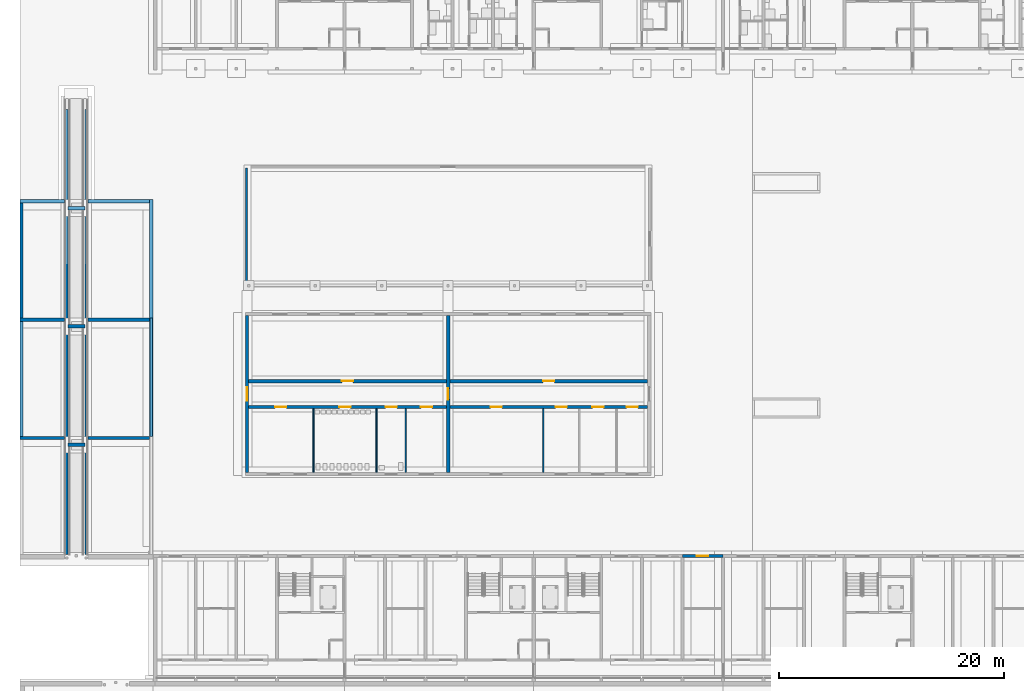
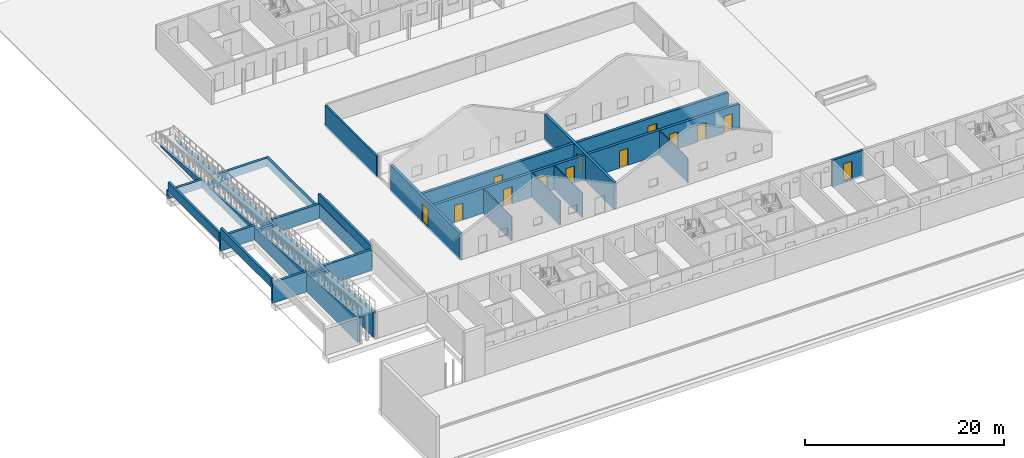
# One storey, part 40 of 112: 28 walls, 13 doors, 13 openings.
"""IFC4 building model written with IfcOpenShell, lengths in metres."""

from ifc_helpers import new_model, si_unit, direction, frame, frame_2d, origin, place, context, subcontext, project, spatial, polyline, rectangle, outline, extrude, material, layer, layer_set, type_object, element, fill, save


model = new_model("IFC4")

# Units and contexts
model_context = context("Model", 3, precision=1e-05, world=origin(), true_north=direction((0.0, 1.0)))
body_context = subcontext(model_context, "Body", "Model", "MODEL_VIEW")
ifc_project = project(units=[si_unit("LENGTHUNIT", "METRE"), si_unit("AREAUNIT", "SQUARE_METRE"), si_unit("VOLUMEUNIT", "CUBIC_METRE"), si_unit("PLANEANGLEUNIT", "RADIAN"), si_unit("MASSUNIT", "GRAM", prefix="KILO")], contexts=[model_context])

# Site, building, storey
site_placement = place(None, origin())
site = spatial("IfcSite", under=ifc_project, at=site_placement, CompositionType="ELEMENT")
building_placement = place(site_placement, origin())
building = spatial("IfcBuilding", under=site, at=building_placement, Name="Ridgestep Commons", CompositionType="ELEMENT")
storey_placement = place(building_placement, origin())
storey = spatial("IfcBuildingStorey", under=building, at=storey_placement, Name="L00", CompositionType="ELEMENT", Elevation=0.0)

# Wall
ifc_material_1 = material(Name="Concrete C30/37", Category="concrete")
ifc_layer_1 = layer(ifc_material_1, 0.199951171875)
ifc_layer_set_1 = layer_set([ifc_layer_1], Name="Community enclosure wall 200")
wall_type_1 = type_object("IfcWallType", Name="Community enclosure wall 200", PredefinedType="SOLIDWALL", material=ifc_layer_set_1)
wall_1_placement = place(storey_placement, frame((20.10009765625, 47.0, -0.25), z_axis=(0.0, 0.0, 1.0), x_axis=(0.0, 1.0, 0.0)))
element("IfcWall", 1, at=wall_1_placement, inside=storey, type_object=wall_type_1, Name="Community enclosure wall 200", PredefinedType="SOLIDWALL", context=body_context, shape_type="SweptSolid", body=[
    extrude(rectangle(XDim=10.300048828125, YDim=0.199951171875, at=frame_2d((5.14990234375, 0.0))), origin(), (0.0, 0.0, 1.0), 2.64990234375),
])

# Wall, opening, door
ifc_material_2 = material(Name="Facing brick", Category="masonry")
ifc_layer_2 = layer(ifc_material_2, 0.300048828125)
ifc_layer_set_2 = layer_set([ifc_layer_2], Name="Community exposed nursery wall 300")
wall_type_2 = type_object("IfcWallType", Name="Community exposed nursery wall 300", PredefinedType="SOLIDWALL", material=ifc_layer_set_2)
wall_2_placement = place(storey_placement, frame((20.14990234375, 30.300048828125, -0.25), z_axis=(0.0, 0.0, 1.0), x_axis=(0.0, 1.0, 0.0)))
wall_2 = element("IfcWall", 2, at=wall_2_placement, inside=storey, type_object=wall_type_2, Name="Community exposed nursery wall 300", PredefinedType="SOLIDWALL", context=body_context, shape_type="SweptSolid", body=[
    extrude(rectangle(XDim=13.89990234375, YDim=0.300048828125, at=frame_2d((6.949951171875, 0.0))), origin(), (0.0, 0.0, 1.0), 3.25),
])
opening_1_placement = place(wall_2_placement, frame((6.35009765625, 0.0, 0.25)))
opening_1 = element("IfcOpeningElement", 3, at=opening_1_placement, cuts=wall_2, Name="Opening C022", PredefinedType="OPENING", context=body_context, shape_type="SweptSolid", body=[
    extrude(rectangle(XDim=1.199951171875, YDim=2.10009765625, at=frame_2d((0.60009765625, 1.050048828125))), frame((0.0, 0.159912109375, 0.0), z_axis=(0.0, -1.0, 0.0), x_axis=(1.0, 0.0, 0.0)), (0.0, 0.0, 1.0), 0.320068359375),
])
ifc_material_3 = material(Name="Steel", Category="steel")
door_type_1 = type_object("IfcDoorType", Name="Community exit door 1200 x 2100", OperationType="SINGLE_SWING_LEFT", PredefinedType="DOOR", material=ifc_material_3)
door_1_placement = place(opening_1_placement, origin())
door_1 = element("IfcDoor", 4, at=door_1_placement, inside=storey, type_object=door_type_1, Name="Community exit door 1200 x 2100", OperationType="SINGLE_SWING_LEFT", OverallHeight=2.10009765625, OverallWidth=1.199951171875, PredefinedType="DOOR", context=body_context, shape_type="SweptSolid", body=[
    extrude(rectangle(XDim=1.199951171875, YDim=2.10009765625, at=frame_2d((0.60009765625, 1.050048828125))), frame((0.0, 0.02490234375, 0.0), z_axis=(0.0, -1.0, 0.0), x_axis=(1.0, 0.0, 0.0)), (0.0, 0.0, 1.0), 0.050048828125),
])
fill(opening_1, door_1)

# Walls
ifc_material_4 = material(Name="Precast concrete C40/50", Category="concrete")
ifc_layer_3 = layer(ifc_material_4, 0.300048828125)
ifc_layer_set_3 = layer_set([ifc_layer_3], Name="Community ramp landing wall 300")
wall_type_3 = type_object("IfcWallType", Name="Community ramp landing wall 300", PredefinedType="SOLIDWALL", material=ifc_layer_set_3)
wall_3_placement = place(storey_placement, frame((4.25, 53.75, -0.25), z_axis=(0.0, 0.0, 1.0), x_axis=(1.0, 0.0, 0.0)))
element("IfcWall", 5, at=wall_3_placement, inside=storey, type_object=wall_type_3, Name="Ramp landing wall", PredefinedType="SOLIDWALL", context=body_context, shape_type="SweptSolid", body=[
    extrude(rectangle(XDim=1.5, YDim=0.300048828125, at=frame_2d((0.75, 0.0))), origin(), (0.0, 0.0, 1.0), 0.85009765625),
])
wall_4_placement = place(storey_placement, frame((4.25, 43.25, -0.25), z_axis=(0.0, 0.0, 1.0), x_axis=(1.0, 0.0, 0.0)))
element("IfcWall", 6, at=wall_4_placement, inside=storey, type_object=wall_type_3, Name="Ramp landing wall", PredefinedType="SOLIDWALL", context=body_context, shape_type="SweptSolid", body=[
    extrude(rectangle(XDim=1.5, YDim=0.300048828125, at=frame_2d((0.75, 0.0))), origin(), (0.0, 0.0, 1.0), 1.60009765625),
])
wall_5_placement = place(storey_placement, frame((4.25, 32.75, -0.25), z_axis=(0.0, 0.0, 1.0), x_axis=(1.0, 0.0, 0.0)))
element("IfcWall", 7, at=wall_5_placement, inside=storey, type_object=wall_type_3, Name="Ramp landing wall", PredefinedType="SOLIDWALL", context=body_context, shape_type="SweptSolid", body=[
    extrude(rectangle(XDim=1.5, YDim=0.300048828125, at=frame_2d((0.75, 0.0))), origin(), (0.0, 0.0, 1.0), 2.35009765625),
])
ifc_material_5 = material(Name="Concrete C30/37", Category="concrete")
ifc_layer_4 = layer(ifc_material_5, 0.300048828125)
ifc_layer_set_4 = layer_set([ifc_layer_4], Name="Community retaining wall 300")
wall_type_4 = type_object("IfcWallType", Name="Community retaining wall 300", PredefinedType="SOLIDWALL", material=ifc_layer_set_4)
for number, where, z_axis, x_axis, name in (
    (8, (4.10009765625, 62.5, -0.25), (0.0, 0.0, 1.0), (0.0, -1.0, 0.0), "Ramp edge wall"),
    (9, (5.89990234375, 62.5, -0.25), (0.0, 0.0, 1.0), (0.0, -1.0, 0.0), "Ramp edge wall"),
):
    element("IfcWall", number, at=place(storey_placement, frame(where, z_axis=z_axis, x_axis=x_axis)), inside=storey, type_object=wall_type_4, Name=name, PredefinedType="SOLIDWALL", context=body_context, shape_type="SweptSolid", body=[
        extrude(outline(polyline([(0.0, 0.0), (39.5, 0.0), (39.5, 3.099609375), (30.5, 2.349609375), (29.0, 2.349609375), (20.0, 1.599609375), (18.5, 1.599609375), (9.5, 0.849609375), (8.0, 0.849609375), (0.0, 0.182861328125), (0.0, 0.0)])), frame((0.0, 0.14990234375, 0.0), z_axis=(0.0, -1.0, 0.0), x_axis=(1.0, 0.0, 0.0)), (0.0, 0.0, 1.0), 0.300048828125),
    ])
wall_6_placement = place(storey_placement, frame((11.64990234375, 44.0, -0.25), z_axis=(0.0, 0.0, 1.0), x_axis=(0.0, 1.0, 0.0)))
element("IfcWall", 10, at=wall_6_placement, inside=storey, type_object=wall_type_4, Name="Bank retaining wall", PredefinedType="SOLIDWALL", context=body_context, shape_type="SweptSolid", body=[
    extrude(rectangle(XDim=10.5, YDim=0.300048828125, at=frame_2d((5.25, 0.0))), origin(), (0.0, 0.0, 1.0), 1.0),
])
wall_7_placement = place(storey_placement, frame((0.010009765625, 54.35009765625, -0.25), z_axis=(0.0, 0.0, 1.0), x_axis=(1.0, 0.0, 0.0)))
element("IfcWall", 11, at=wall_7_placement, inside=storey, type_object=wall_type_4, Name="Bank step wall", PredefinedType="SOLIDWALL", context=body_context, shape_type="SweptSolid", body=[
    extrude(rectangle(XDim=3.93994140625, YDim=0.300048828125, at=frame_2d((1.969970703125, 0.0))), origin(), (0.0, 0.0, 1.0), 1.0),
])
wall_8_placement = place(storey_placement, frame((6.050048828125, 54.35009765625, -0.25), z_axis=(0.0, 0.0, 1.0), x_axis=(1.0, 0.0, 0.0)))
element("IfcWall", 12, at=wall_8_placement, inside=storey, type_object=wall_type_4, Name="Bank step wall", PredefinedType="SOLIDWALL", context=body_context, shape_type="SweptSolid", body=[
    extrude(rectangle(XDim=5.449951171875, YDim=0.300048828125, at=frame_2d((2.72509765625, 0.0))), origin(), (0.0, 0.0, 1.0), 1.0),
])
wall_9_placement = place(storey_placement, frame((11.64990234375, 33.5, -0.25), z_axis=(0.0, 0.0, 1.0), x_axis=(0.0, 1.0, 0.0)))
element("IfcWall", 13, at=wall_9_placement, inside=storey, type_object=wall_type_4, Name="Bank retaining wall", PredefinedType="SOLIDWALL", context=body_context, shape_type="SweptSolid", body=[
    extrude(rectangle(XDim=10.5, YDim=0.300048828125, at=frame_2d((5.25, 0.0))), origin(), (0.0, 0.0, 1.0), 1.75),
])
wall_10_placement = place(storey_placement, frame((0.010009765625, 43.85009765625, -0.25), z_axis=(0.0, 0.0, 1.0), x_axis=(1.0, 0.0, 0.0)))
element("IfcWall", 14, at=wall_10_placement, inside=storey, type_object=wall_type_4, Name="Bank step wall", PredefinedType="SOLIDWALL", context=body_context, shape_type="SweptSolid", body=[
    extrude(rectangle(XDim=3.93994140625, YDim=0.300048828125, at=frame_2d((1.969970703125, 0.0))), origin(), (0.0, 0.0, 1.0), 1.75),
])
wall_11_placement = place(storey_placement, frame((6.050048828125, 43.85009765625, -0.25), z_axis=(0.0, 0.0, 1.0), x_axis=(1.0, 0.0, 0.0)))
element("IfcWall", 15, at=wall_11_placement, inside=storey, type_object=wall_type_4, Name="Bank step wall", PredefinedType="SOLIDWALL", context=body_context, shape_type="SweptSolid", body=[
    extrude(rectangle(XDim=5.449951171875, YDim=0.300048828125, at=frame_2d((2.72509765625, 0.0))), origin(), (0.0, 0.0, 1.0), 1.75),
])
wall_12_placement = place(storey_placement, frame((0.010009765625, 33.35009765625, -0.25), z_axis=(0.0, 0.0, 1.0), x_axis=(1.0, 0.0, 0.0)))
element("IfcWall", 16, at=wall_12_placement, inside=storey, type_object=wall_type_4, Name="Bank step wall", PredefinedType="SOLIDWALL", context=body_context, shape_type="SweptSolid", body=[
    extrude(rectangle(XDim=3.93994140625, YDim=0.300048828125, at=frame_2d((1.969970703125, 0.0))), origin(), (0.0, 0.0, 1.0), 2.5),
])
wall_13_placement = place(storey_placement, frame((6.050048828125, 33.35009765625, -0.25), z_axis=(0.0, 0.0, 1.0), x_axis=(1.0, 0.0, 0.0)))
element("IfcWall", 17, at=wall_13_placement, inside=storey, type_object=wall_type_4, Name="Bank step wall", PredefinedType="SOLIDWALL", context=body_context, shape_type="SweptSolid", body=[
    extrude(rectangle(XDim=5.449951171875, YDim=0.300048828125, at=frame_2d((2.72509765625, 0.0))), origin(), (0.0, 0.0, 1.0), 2.5),
])
ifc_material_6 = material(Name="Precast concrete C40/50", Category="concrete")
ifc_layer_5 = layer(ifc_material_6, 0.25)
ifc_layer_set_5 = layer_set([ifc_layer_5], Name="Community terrace parapet 250")
wall_type_5 = type_object("IfcWallType", Name="Community terrace parapet 250", PredefinedType="PARAPET", material=ifc_layer_set_5)
wall_14_placement = place(storey_placement, frame((0.135009765625, 44.0, 0.75), z_axis=(0.0, 0.0, 1.0), x_axis=(0.0, 1.0, 0.0)))
element("IfcWall", 18, at=wall_14_placement, inside=storey, type_object=wall_type_5, Name="Terrace parapet", PredefinedType="PARAPET", context=body_context, shape_type="SweptSolid", body=[
    extrude(rectangle(XDim=10.199951171875, YDim=0.25, at=frame_2d((5.10009765625, 0.0))), origin(), (0.0, 0.0, 1.0), 1.10009765625),
])
wall_15_placement = place(storey_placement, frame((11.64990234375, 33.5, 1.5), z_axis=(0.0, 0.0, 1.0), x_axis=(0.0, 1.0, 0.0)))
element("IfcWall", 19, at=wall_15_placement, inside=storey, type_object=wall_type_5, Name="Terrace parapet", PredefinedType="PARAPET", context=body_context, shape_type="SweptSolid", body=[
    extrude(rectangle(XDim=10.5, YDim=0.25, at=frame_2d((5.25, 0.0))), origin(), (0.0, 0.0, 1.0), 1.10009765625),
])
wall_16_placement = place(storey_placement, frame((0.135009765625, 33.5, 1.5), z_axis=(0.0, 0.0, 1.0), x_axis=(0.0, 1.0, 0.0)))
element("IfcWall", 20, at=wall_16_placement, inside=storey, type_object=wall_type_5, Name="Terrace parapet", PredefinedType="PARAPET", context=body_context, shape_type="SweptSolid", body=[
    extrude(rectangle(XDim=10.199951171875, YDim=0.25, at=frame_2d((5.10009765625, 0.0))), origin(), (0.0, 0.0, 1.0), 1.10009765625),
])

# Wall, opening, door
ifc_material_7 = material(Name="Precast concrete C40/50", Category="concrete")
ifc_layer_6 = layer(ifc_material_7, 0.25)
ifc_layer_set_6 = layer_set([ifc_layer_6], Name="North facade panel 250")
wall_type_6 = type_object("IfcWallType", Name="North facade panel 250", PredefinedType="SOLIDWALL", material=ifc_layer_set_6)
wall_17_placement = place(storey_placement, frame((58.800048828125, 22.875, -0.25), z_axis=(0.0, 0.0, 1.0), x_axis=(1.0, 0.0, 0.0)))
wall_17 = element("IfcWall", 21, at=wall_17_placement, inside=storey, type_object=wall_type_6, Name="North panel A3T1 L00", PredefinedType="SOLIDWALL", context=body_context, shape_type="SweptSolid", body=[
    extrude(rectangle(XDim=3.599853515625, YDim=0.25, at=frame_2d((1.7998046875, 0.0))), origin(), (0.0, 0.0, 1.0), 3.25),
])
opening_2_placement = place(wall_17_placement, frame((1.28759765625, 0.0, 0.25)))
opening_2 = element("IfcOpeningElement", 22, at=opening_2_placement, cuts=wall_17, Name="Opening A3-00p/6", PredefinedType="OPENING", context=body_context, shape_type="SweptSolid", body=[
    extrude(rectangle(XDim=1.0, YDim=2.10009765625, at=frame_2d((0.5, 1.050048828125))), frame((0.0, 0.135009765625, 0.0), z_axis=(0.0, -1.0, 0.0), x_axis=(1.0, 0.0, 0.0)), (0.0, 0.0, 1.0), 0.27001953125),
])
ifc_material_8 = material(Name="Steel door leaf", Category="steel")
door_type_2 = type_object("IfcDoorType", Name="Exterior door 1000 x 2100", OperationType="NOTDEFINED", PredefinedType="DOOR", material=ifc_material_8)
door_2_placement = place(opening_2_placement, origin())
door_2 = element("IfcDoor", 23, at=door_2_placement, inside=storey, type_object=door_type_2, Name="Exterior door A3-00p/6", OperationType="SINGLE_SWING_LEFT", OverallHeight=2.10009765625, OverallWidth=1.0, PredefinedType="DOOR", context=body_context, shape_type="SweptSolid", body=[
    extrude(rectangle(XDim=1.0, YDim=2.10009765625, at=frame_2d((0.5, 1.050048828125))), frame((0.0, 0.02490234375, 0.0), z_axis=(0.0, -1.0, 0.0), x_axis=(1.0, 0.0, 0.0)), (0.0, 0.0, 1.0), 0.050048828125),
])
fill(opening_2, door_2)

# Walls
ifc_material_9 = material(Name="Common brick 110 mm", Category="masonry")
ifc_layer_7 = layer(ifc_material_9, 0.110107421875)
ifc_layer_set_7 = layer_set([ifc_layer_7], Name="Nursery partition 110")
wall_type_7 = type_object("IfcWallType", Name="Nursery partition 110", PredefinedType="PARTITIONING", material=ifc_layer_set_7)
for number, where, z_axis, x_axis, name in (
    (24, (26.050048828125, 30.300048828125, 0.0), (0.0, 0.0, 1.0), (0.0, 1.0, 0.0), "Nursery partition 110"),
    (25, (31.64990234375, 30.300048828125, 0.0), (0.0, 0.0, 1.0), (0.0, 1.0, 0.0), "Nursery partition 110"),
    (26, (34.25, 30.300048828125, 0.0), (0.0, 0.0, 1.0), (0.0, 1.0, 0.0), "Nursery partition 110"),
    (27, (46.449951171875, 30.300048828125, 0.0), (0.0, 0.0, 1.0), (0.0, 1.0, 0.0), "Nursery partition 110"),
):
    element("IfcWall", number, at=place(storey_placement, frame(where, z_axis=z_axis, x_axis=x_axis)), inside=storey, type_object=wall_type_7, Name=name, PredefinedType="PARTITIONING", context=body_context, shape_type="SweptSolid", body=[
        extrude(rectangle(XDim=5.64990234375, YDim=0.110107421875, at=frame_2d((2.824951171875, 0.0))), origin(), (0.0, 0.0, 1.0), 3.0),
    ])

# Wall, opening, door
ifc_material_10 = material(Name="Facing brick", Category="masonry")
ifc_layer_8 = layer(ifc_material_10, 0.300048828125)
ifc_layer_set_8 = layer_set([ifc_layer_8], Name="Nursery wall 300")
wall_type_8 = type_object("IfcWallType", Name="Nursery wall 300", PredefinedType="SOLIDWALL", material=ifc_layer_set_8)
wall_18_placement = place(storey_placement, frame((38.0, 30.300048828125, -0.25), z_axis=(0.0, 0.0, 1.0), x_axis=(0.0, 1.0, 0.0)))
wall_18 = element("IfcWall", 28, at=wall_18_placement, inside=storey, type_object=wall_type_8, Name="Nursery wall 300", PredefinedType="SOLIDWALL", context=body_context, shape_type="SweptSolid", body=[
    extrude(rectangle(XDim=13.89990234375, YDim=0.300048828125, at=frame_2d((6.949951171875, 0.0))), origin(), (0.0, 0.0, 1.0), 3.25),
])
opening_3_placement = place(wall_18_placement, frame((6.449951171875, 0.0, 0.25)))
opening_3 = element("IfcOpeningElement", 29, at=opening_3_placement, cuts=wall_18, Name="Opening C106", PredefinedType="OPENING", context=body_context, shape_type="SweptSolid", body=[
    extrude(rectangle(XDim=1.0, YDim=2.10009765625, at=frame_2d((0.5, 1.050048828125))), frame((0.0, 0.159912109375, 0.0), z_axis=(0.0, -1.0, 0.0), x_axis=(1.0, 0.0, 0.0)), (0.0, 0.0, 1.0), 0.320068359375),
])
ifc_material_11 = material(Name="Timber and steel", Category="steel")
door_type_3 = type_object("IfcDoorType", Name="Community fire door 1000 x 2100", OperationType="SINGLE_SWING_LEFT", PredefinedType="DOOR", material=ifc_material_11)
door_3_placement = place(opening_3_placement, origin())
door_3 = element("IfcDoor", 30, at=door_3_placement, inside=storey, type_object=door_type_3, Name="Community fire door 1000 x 2100", OperationType="SINGLE_SWING_RIGHT", OverallHeight=2.10009765625, OverallWidth=1.0, PredefinedType="DOOR", context=body_context, shape_type="SweptSolid", body=[
    extrude(rectangle(XDim=1.0, YDim=2.10009765625, at=frame_2d((0.5, 1.050048828125))), frame((0.0, 0.02490234375, 0.0), z_axis=(0.0, -1.0, 0.0), x_axis=(1.0, 0.0, 0.0)), (0.0, 0.0, 1.0), 0.050048828125),
])
fill(opening_3, door_3)

# Wall, openings, doors
wall_19_placement = place(storey_placement, frame((20.300048828125, 36.10009765625, 0.0), z_axis=(0.0, 0.0, 1.0), x_axis=(1.0, 0.0, 0.0)))
wall_19 = element("IfcWall", 31, at=wall_19_placement, inside=storey, type_object=wall_type_8, Name="Nursery wall 300", PredefinedType="SOLIDWALL", context=body_context, shape_type="SweptSolid", body=[
    extrude(rectangle(XDim=17.550048828125, YDim=0.300048828125, at=frame_2d((8.77490234375, 0.0))), origin(), (0.0, 0.0, 1.0), 3.0),
])
opening_4_placement = place(wall_19_placement, frame((2.347412109375, 0.0, 0.0)))
opening_4 = element("IfcOpeningElement", 32, at=opening_4_placement, cuts=wall_19, Name="Opening C096", PredefinedType="OPENING", context=body_context, shape_type="SweptSolid", body=[
    extrude(rectangle(XDim=1.0, YDim=2.10009765625, at=frame_2d((0.5, 1.050048828125))), frame((0.0, 0.159912109375, 0.0), z_axis=(0.0, -1.0, 0.0), x_axis=(1.0, 0.0, 0.0)), (0.0, 0.0, 1.0), 0.320068359375),
])
opening_5_placement = place(wall_19_placement, frame((8.050048828125, 0.0, 0.0)))
opening_5 = element("IfcOpeningElement", 33, at=opening_5_placement, cuts=wall_19, Name="Opening C097", PredefinedType="OPENING", context=body_context, shape_type="SweptSolid", body=[
    extrude(rectangle(XDim=1.0, YDim=2.10009765625, at=frame_2d((0.5, 1.050048828125))), frame((0.0, 0.159912109375, 0.0), z_axis=(0.0, -1.0, 0.0), x_axis=(1.0, 0.0, 0.0)), (0.0, 0.0, 1.0), 0.320068359375),
])
opening_6_placement = place(wall_19_placement, frame((12.14990234375, 0.0, 0.0)))
opening_6 = element("IfcOpeningElement", 34, at=opening_6_placement, cuts=wall_19, Name="Opening C098", PredefinedType="OPENING", context=body_context, shape_type="SweptSolid", body=[
    extrude(rectangle(XDim=1.0, YDim=2.10009765625, at=frame_2d((0.5, 1.050048828125))), frame((0.0, 0.159912109375, 0.0), z_axis=(0.0, -1.0, 0.0), x_axis=(1.0, 0.0, 0.0)), (0.0, 0.0, 1.0), 0.320068359375),
])
opening_7_placement = place(wall_19_placement, frame((15.277587890625, 0.0, 0.0)))
opening_7 = element("IfcOpeningElement", 35, at=opening_7_placement, cuts=wall_19, Name="Opening C099", PredefinedType="OPENING", context=body_context, shape_type="SweptSolid", body=[
    extrude(rectangle(XDim=1.0, YDim=2.10009765625, at=frame_2d((0.5, 1.050048828125))), frame((0.0, 0.159912109375, 0.0), z_axis=(0.0, -1.0, 0.0), x_axis=(1.0, 0.0, 0.0)), (0.0, 0.0, 1.0), 0.320068359375),
])
door_4_placement = place(opening_4_placement, origin())
door_4 = element("IfcDoor", 36, at=door_4_placement, inside=storey, type_object=door_type_3, Name="Community fire door 1000 x 2100", OperationType="SINGLE_SWING_LEFT", OverallHeight=2.10009765625, OverallWidth=1.0, PredefinedType="DOOR", context=body_context, shape_type="SweptSolid", body=[
    extrude(rectangle(XDim=1.0, YDim=2.10009765625, at=frame_2d((0.5, 1.050048828125))), frame((0.0, 0.02490234375, 0.0), z_axis=(0.0, -1.0, 0.0), x_axis=(1.0, 0.0, 0.0)), (0.0, 0.0, 1.0), 0.050048828125),
])
fill(opening_4, door_4)
door_5_placement = place(opening_5_placement, origin())
door_5 = element("IfcDoor", 37, at=door_5_placement, inside=storey, type_object=door_type_3, Name="Community fire door 1000 x 2100", OperationType="SINGLE_SWING_RIGHT", OverallHeight=2.10009765625, OverallWidth=1.0, PredefinedType="DOOR", context=body_context, shape_type="SweptSolid", body=[
    extrude(rectangle(XDim=1.0, YDim=2.10009765625, at=frame_2d((0.5, 1.050048828125))), frame((0.0, 0.02490234375, 0.0), z_axis=(0.0, -1.0, 0.0), x_axis=(1.0, 0.0, 0.0)), (0.0, 0.0, 1.0), 0.050048828125),
])
fill(opening_5, door_5)
door_6_placement = place(opening_6_placement, origin())
door_6 = element("IfcDoor", 38, at=door_6_placement, inside=storey, type_object=door_type_3, Name="Community fire door 1000 x 2100", OperationType="SINGLE_SWING_LEFT", OverallHeight=2.10009765625, OverallWidth=1.0, PredefinedType="DOOR", context=body_context, shape_type="SweptSolid", body=[
    extrude(rectangle(XDim=1.0, YDim=2.10009765625, at=frame_2d((0.5, 1.050048828125))), frame((0.0, 0.02490234375, 0.0), z_axis=(0.0, -1.0, 0.0), x_axis=(1.0, 0.0, 0.0)), (0.0, 0.0, 1.0), 0.050048828125),
])
fill(opening_6, door_6)
door_7_placement = place(opening_7_placement, origin())
door_7 = element("IfcDoor", 39, at=door_7_placement, inside=storey, type_object=door_type_3, Name="Community fire door 1000 x 2100", OperationType="SINGLE_SWING_LEFT", OverallHeight=2.10009765625, OverallWidth=1.0, PredefinedType="DOOR", context=body_context, shape_type="SweptSolid", body=[
    extrude(rectangle(XDim=1.0, YDim=2.10009765625, at=frame_2d((0.5, 1.050048828125))), frame((0.0, 0.02490234375, 0.0), z_axis=(0.0, -1.0, 0.0), x_axis=(1.0, 0.0, 0.0)), (0.0, 0.0, 1.0), 0.050048828125),
])
fill(opening_7, door_7)

wall_20_placement = place(storey_placement, frame((38.14990234375, 36.10009765625, 0.0), z_axis=(0.0, 0.0, 1.0), x_axis=(1.0, 0.0, 0.0)))
wall_20 = element("IfcWall", 40, at=wall_20_placement, inside=storey, type_object=wall_type_8, Name="Nursery wall 300", PredefinedType="SOLIDWALL", context=body_context, shape_type="SweptSolid", body=[
    extrude(rectangle(XDim=17.550048828125, YDim=0.300048828125, at=frame_2d((8.77490234375, 0.0))), origin(), (0.0, 0.0, 1.0), 3.0),
])
opening_8_placement = place(wall_20_placement, frame((3.62255859375, 0.0, 0.0)))
opening_8 = element("IfcOpeningElement", 41, at=opening_8_placement, cuts=wall_20, Name="Opening C100", PredefinedType="OPENING", context=body_context, shape_type="SweptSolid", body=[
    extrude(rectangle(XDim=1.0, YDim=2.10009765625, at=frame_2d((0.5, 1.050048828125))), frame((0.0, 0.159912109375, 0.0), z_axis=(0.0, -1.0, 0.0), x_axis=(1.0, 0.0, 0.0)), (0.0, 0.0, 1.0), 0.320068359375),
])
opening_9_placement = place(wall_20_placement, frame((9.39990234375, 0.0, 0.0)))
opening_9 = element("IfcOpeningElement", 42, at=opening_9_placement, cuts=wall_20, Name="Opening C101", PredefinedType="OPENING", context=body_context, shape_type="SweptSolid", body=[
    extrude(rectangle(XDim=1.0, YDim=2.10009765625, at=frame_2d((0.5, 1.050048828125))), frame((0.0, 0.159912109375, 0.0), z_axis=(0.0, -1.0, 0.0), x_axis=(1.0, 0.0, 0.0)), (0.0, 0.0, 1.0), 0.320068359375),
])
opening_10_placement = place(wall_20_placement, frame((12.64990234375, 0.0, 0.0)))
opening_10 = element("IfcOpeningElement", 43, at=opening_10_placement, cuts=wall_20, Name="Opening C102", PredefinedType="OPENING", context=body_context, shape_type="SweptSolid", body=[
    extrude(rectangle(XDim=1.0, YDim=2.10009765625, at=frame_2d((0.5, 1.050048828125))), frame((0.0, 0.159912109375, 0.0), z_axis=(0.0, -1.0, 0.0), x_axis=(1.0, 0.0, 0.0)), (0.0, 0.0, 1.0), 0.320068359375),
])
opening_11_placement = place(wall_20_placement, frame((15.702392578125, 0.0, 0.0)))
opening_11 = element("IfcOpeningElement", 44, at=opening_11_placement, cuts=wall_20, Name="Opening C103", PredefinedType="OPENING", context=body_context, shape_type="SweptSolid", body=[
    extrude(rectangle(XDim=1.0, YDim=2.10009765625, at=frame_2d((0.5, 1.050048828125))), frame((0.0, 0.159912109375, 0.0), z_axis=(0.0, -1.0, 0.0), x_axis=(1.0, 0.0, 0.0)), (0.0, 0.0, 1.0), 0.320068359375),
])
door_8_placement = place(opening_8_placement, origin())
door_8 = element("IfcDoor", 45, at=door_8_placement, inside=storey, type_object=door_type_3, Name="Community fire door 1000 x 2100", OperationType="SINGLE_SWING_LEFT", OverallHeight=2.10009765625, OverallWidth=1.0, PredefinedType="DOOR", context=body_context, shape_type="SweptSolid", body=[
    extrude(rectangle(XDim=1.0, YDim=2.10009765625, at=frame_2d((0.5, 1.050048828125))), frame((0.0, 0.02490234375, 0.0), z_axis=(0.0, -1.0, 0.0), x_axis=(1.0, 0.0, 0.0)), (0.0, 0.0, 1.0), 0.050048828125),
])
fill(opening_8, door_8)
door_9_placement = place(opening_9_placement, origin())
door_9 = element("IfcDoor", 46, at=door_9_placement, inside=storey, type_object=door_type_3, Name="Community fire door 1000 x 2100", OperationType="SINGLE_SWING_LEFT", OverallHeight=2.10009765625, OverallWidth=1.0, PredefinedType="DOOR", context=body_context, shape_type="SweptSolid", body=[
    extrude(rectangle(XDim=1.0, YDim=2.10009765625, at=frame_2d((0.5, 1.050048828125))), frame((0.0, 0.02490234375, 0.0), z_axis=(0.0, -1.0, 0.0), x_axis=(1.0, 0.0, 0.0)), (0.0, 0.0, 1.0), 0.050048828125),
])
fill(opening_9, door_9)
door_10_placement = place(opening_10_placement, origin())
door_10 = element("IfcDoor", 47, at=door_10_placement, inside=storey, type_object=door_type_3, Name="Community fire door 1000 x 2100", OperationType="SINGLE_SWING_RIGHT", OverallHeight=2.10009765625, OverallWidth=1.0, PredefinedType="DOOR", context=body_context, shape_type="SweptSolid", body=[
    extrude(rectangle(XDim=1.0, YDim=2.10009765625, at=frame_2d((0.5, 1.050048828125))), frame((0.0, 0.02490234375, 0.0), z_axis=(0.0, -1.0, 0.0), x_axis=(1.0, 0.0, 0.0)), (0.0, 0.0, 1.0), 0.050048828125),
])
fill(opening_10, door_10)
door_11_placement = place(opening_11_placement, origin())
door_11 = element("IfcDoor", 48, at=door_11_placement, inside=storey, type_object=door_type_3, Name="Community fire door 1000 x 2100", OperationType="SINGLE_SWING_LEFT", OverallHeight=2.10009765625, OverallWidth=1.0, PredefinedType="DOOR", context=body_context, shape_type="SweptSolid", body=[
    extrude(rectangle(XDim=1.0, YDim=2.10009765625, at=frame_2d((0.5, 1.050048828125))), frame((0.0, 0.02490234375, 0.0), z_axis=(0.0, -1.0, 0.0), x_axis=(1.0, 0.0, 0.0)), (0.0, 0.0, 1.0), 0.050048828125),
])
fill(opening_11, door_11)

# Wall, opening, door
wall_21_placement = place(storey_placement, frame((20.300048828125, 38.39990234375, 0.0), z_axis=(0.0, 0.0, 1.0), x_axis=(1.0, 0.0, 0.0)))
wall_21 = element("IfcWall", 49, at=wall_21_placement, inside=storey, type_object=wall_type_8, Name="Nursery wall 300", PredefinedType="SOLIDWALL", context=body_context, shape_type="SweptSolid", body=[
    extrude(rectangle(XDim=17.550048828125, YDim=0.300048828125, at=frame_2d((8.77490234375, 0.0))), origin(), (0.0, 0.0, 1.0), 3.0),
])
opening_12_placement = place(wall_21_placement, frame((8.27490234375, 0.0, 0.0)))
opening_12 = element("IfcOpeningElement", 50, at=opening_12_placement, cuts=wall_21, Name="Opening C104", PredefinedType="OPENING", context=body_context, shape_type="SweptSolid", body=[
    extrude(rectangle(XDim=1.0, YDim=2.10009765625, at=frame_2d((0.5, 1.050048828125))), frame((0.0, 0.159912109375, 0.0), z_axis=(0.0, -1.0, 0.0), x_axis=(1.0, 0.0, 0.0)), (0.0, 0.0, 1.0), 0.320068359375),
])
door_12_placement = place(opening_12_placement, origin())
door_12 = element("IfcDoor", 51, at=door_12_placement, inside=storey, type_object=door_type_3, Name="Community fire door 1000 x 2100", OperationType="SINGLE_SWING_LEFT", OverallHeight=2.10009765625, OverallWidth=1.0, PredefinedType="DOOR", context=body_context, shape_type="SweptSolid", body=[
    extrude(rectangle(XDim=1.0, YDim=2.10009765625, at=frame_2d((0.5, 1.050048828125))), frame((0.0, 0.02490234375, 0.0), z_axis=(0.0, -1.0, 0.0), x_axis=(1.0, 0.0, 0.0)), (0.0, 0.0, 1.0), 0.050048828125),
])
fill(opening_12, door_12)

wall_22_placement = place(storey_placement, frame((38.14990234375, 38.39990234375, 0.0), z_axis=(0.0, 0.0, 1.0), x_axis=(1.0, 0.0, 0.0)))
wall_22 = element("IfcWall", 52, at=wall_22_placement, inside=storey, type_object=wall_type_8, Name="Nursery wall 300", PredefinedType="SOLIDWALL", context=body_context, shape_type="SweptSolid", body=[
    extrude(rectangle(XDim=17.550048828125, YDim=0.300048828125, at=frame_2d((8.77490234375, 0.0))), origin(), (0.0, 0.0, 1.0), 3.0),
])
opening_13_placement = place(wall_22_placement, frame((8.27490234375, 0.0, 0.0)))
opening_13 = element("IfcOpeningElement", 53, at=opening_13_placement, cuts=wall_22, Name="Opening C105", PredefinedType="OPENING", context=body_context, shape_type="SweptSolid", body=[
    extrude(rectangle(XDim=1.0, YDim=2.10009765625, at=frame_2d((0.5, 1.050048828125))), frame((0.0, 0.159912109375, 0.0), z_axis=(0.0, -1.0, 0.0), x_axis=(1.0, 0.0, 0.0)), (0.0, 0.0, 1.0), 0.320068359375),
])
door_13_placement = place(opening_13_placement, origin())
door_13 = element("IfcDoor", 54, at=door_13_placement, inside=storey, type_object=door_type_3, Name="Community fire door 1000 x 2100", OperationType="SINGLE_SWING_RIGHT", OverallHeight=2.10009765625, OverallWidth=1.0, PredefinedType="DOOR", context=body_context, shape_type="SweptSolid", body=[
    extrude(rectangle(XDim=1.0, YDim=2.10009765625, at=frame_2d((0.5, 1.050048828125))), frame((0.0, 0.02490234375, 0.0), z_axis=(0.0, -1.0, 0.0), x_axis=(1.0, 0.0, 0.0)), (0.0, 0.0, 1.0), 0.050048828125),
])
fill(opening_13, door_13)

save(model, "model.ifc")
